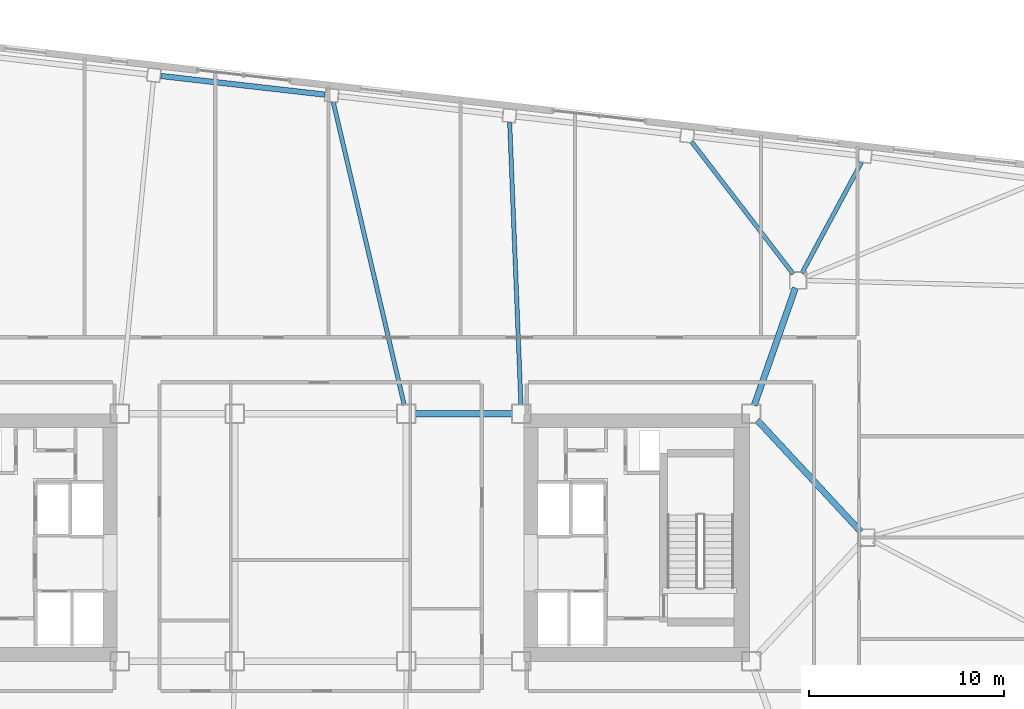
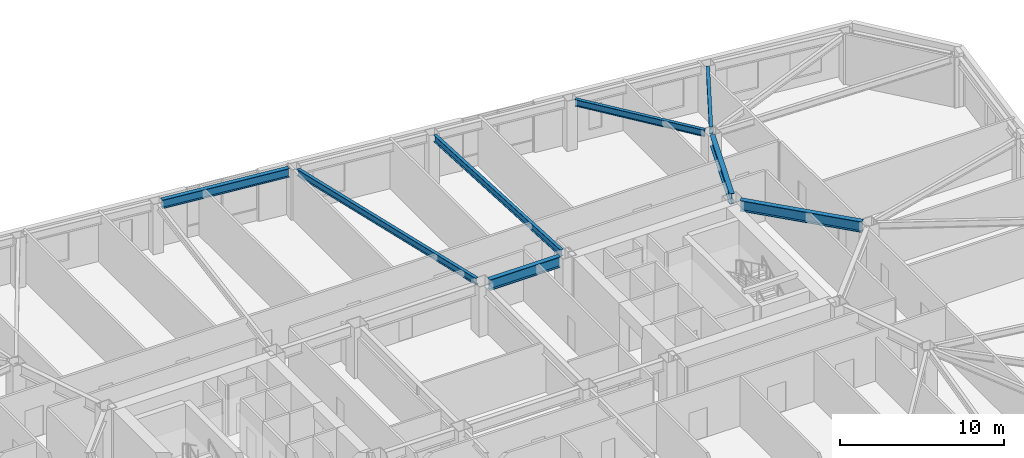
# One storey, part 7 of 21: 8 beams.
"""IFC4 building model written with IfcOpenShell, lengths in metres."""

from ifc_helpers import new_model, si_unit, direction, frame, origin, origin_2d, place, context, subcontext, project, spatial, i_section, extrude, material, material_profile, profile_set, type_object, element, save


model = new_model("IFC4")

# Units and contexts
model_context = context("Model", 3, precision=1e-05, world=origin(), true_north=direction((0.0, 1.0)))
body_context = subcontext(model_context, "Body", "Model", "MODEL_VIEW")
ifc_project = project(units=[si_unit("LENGTHUNIT", "METRE"), si_unit("AREAUNIT", "SQUARE_METRE"), si_unit("VOLUMEUNIT", "CUBIC_METRE"), si_unit("PLANEANGLEUNIT", "RADIAN"), si_unit("MASSUNIT", "GRAM", prefix="KILO")], contexts=[model_context])

# Site, building, storey
site_placement = place(None, origin())
site = spatial("IfcSite", under=ifc_project, at=site_placement, CompositionType="ELEMENT")
building_placement = place(site_placement, origin())
building = spatial("IfcBuilding", under=site, at=building_placement, Name="Tavrogorsk Clinical Tower", CompositionType="ELEMENT")
storey_placement = place(building_placement, frame((0.0, 0.0, 137.39990234375)))
storey = spatial("IfcBuildingStorey", under=building, at=storey_placement, Name="L31", CompositionType="ELEMENT", Elevation=137.39990234375)

# Beams
ifc_material_1 = material(Name="Structural steel S355", Category="steel")
ifc_material_profile_1 = material_profile(ifc_material_1, i_section(OverallWidth=0.219970703125, OverallDepth=0.5, WebThickness=0.012939453125, FlangeThickness=0.02001953125, at=origin_2d()), Name="B-500x220x13x20")
ifc_profile_set_1 = profile_set([ifc_material_profile_1], Name="Structural steel S355")
beam_type_1 = type_object("IfcBeamType", Name="FloorBeam_B500", PredefinedType="BEAM", material=ifc_profile_set_1)
beam_1_placement = place(storey_placement, frame((24.6943359375, 13.56103515625, 3.489990234375), z_axis=(0.473788919736, 0.880638438597, 0.0), x_axis=(-0.880638438597, 0.473788919736, 0.0)))
element("IfcBeam", 1, at=beam_1_placement, inside=storey, type_object=beam_type_1, Name="L31 Radial Floor Beam N2", PredefinedType="BEAM", context=body_context, shape_type="SweptSolid", body=[
    extrude(i_section(OverallWidth=0.219970703125, OverallDepth=0.5, WebThickness=0.012939453125, FlangeThickness=0.02001953125, at=origin_2d()), origin(), (0.0, 0.0, 1.0), 6.462890625),
])
beam_2_placement = place(storey_placement, frame((24.250244140625, 13.525146484375, 3.489990234375), z_axis=(-0.609376288757, 0.792881163038, 0.0), x_axis=(-0.792881163038, -0.609376288757, 0.0)))
element("IfcBeam", 2, at=beam_2_placement, inside=storey, type_object=beam_type_1, Name="L31 Radial Floor Beam N3", PredefinedType="BEAM", context=body_context, shape_type="SweptSolid", body=[
    extrude(i_section(OverallWidth=0.219970703125, OverallDepth=0.5, WebThickness=0.012939453125, FlangeThickness=0.02001953125, at=origin_2d()), origin(), (0.0, 0.0, 1.0), 8.5732421875),
])
beam_3_placement = place(storey_placement, frame((10.28173828125, 6.8095703125, 3.489990234375), z_axis=(-0.039881908424, 0.999204400201, 0.0), x_axis=(-0.999204400201, -0.039881908424, 0.0)))
element("IfcBeam", 3, at=beam_3_placement, inside=storey, type_object=beam_type_1, Name="L31 Radial Floor Beam N4", PredefinedType="BEAM", context=body_context, shape_type="SweptSolid", body=[
    extrude(i_section(OverallWidth=0.219970703125, OverallDepth=0.5, WebThickness=0.012939453125, FlangeThickness=0.02001953125, at=origin_2d()), origin(), (0.0, 0.0, 1.0), 14.48974609375),
])
beam_4_placement = place(storey_placement, frame((4.294921875, 6.7978515625, 3.489990234375), z_axis=(-0.228197667081, 0.973614823603, 0.0), x_axis=(-0.973614823603, -0.228197667081, 0.0)))
element("IfcBeam", 4, at=beam_4_placement, inside=storey, type_object=beam_type_1, Name="L31 Radial Floor Beam N5", PredefinedType="BEAM", context=body_context, shape_type="SweptSolid", body=[
    extrude(i_section(OverallWidth=0.219970703125, OverallDepth=0.5, WebThickness=0.012939453125, FlangeThickness=0.02001953125, at=origin_2d()), origin(), (0.0, 0.0, 1.0), 15.959228515625),
])
ifc_material_2 = material(Name="Structural steel S390", Category="steel")
ifc_material_profile_2 = material_profile(ifc_material_2, i_section(OverallWidth=0.320068359375, OverallDepth=0.800048828125, WebThickness=0.02001953125, FlangeThickness=0.033935546875, at=origin_2d()), Name="B-800x320x20x34")
ifc_profile_set_2 = profile_set([ifc_material_profile_2], Name="Structural steel S390")
beam_type_2 = type_object("IfcBeamType", Name="PrimaryGirder_B800", PredefinedType="USERDEFINED", material=ifc_profile_set_2)
beam_5_placement = place(storey_placement, frame((4.860107421875, 6.35009765625, 3.340087890625), z_axis=(1.0, 0.0, 0.0), x_axis=(0.0, 1.0, 0.0)))
element("IfcBeam", 5, at=beam_5_placement, inside=storey, type_object=beam_type_2, Name="L31 Primary Spine Girder MG-06", ObjectType="GIRDER", PredefinedType="USERDEFINED", context=body_context, shape_type="SweptSolid", body=[
    extrude(i_section(OverallWidth=0.320068359375, OverallDepth=0.800048828125, WebThickness=0.02001953125, FlangeThickness=0.033935546875, at=origin_2d()), origin(), (0.0, 0.0, 1.0), 4.97998046875),
])
beam_6_placement = place(storey_placement, frame((24.364501953125, 12.81298828125, 3.340087890625), z_axis=(-0.330660234815, -0.943749865755, 0.0), x_axis=(0.943749865755, -0.330660234815, 0.0)))
element("IfcBeam", 6, at=beam_6_placement, inside=storey, type_object=beam_type_2, Name="L31 Spine Link Girder OPG-4", ObjectType="GIRDER", PredefinedType="USERDEFINED", context=body_context, shape_type="SweptSolid", body=[
    extrude(i_section(OverallWidth=0.320068359375, OverallDepth=0.800048828125, WebThickness=0.02001953125, FlangeThickness=0.033935546875, at=origin_2d()), origin(), (0.0, 0.0, 1.0), 6.38818359375),
])
beam_7_placement = place(storey_placement, frame((27.720947265625, 0.30029296875, 3.340087890625), z_axis=(-0.680675630035, 0.732584934787, 0.0), x_axis=(-0.732584934787, -0.680675630035, 0.0)))
element("IfcBeam", 7, at=beam_7_placement, inside=storey, type_object=beam_type_2, Name="L31 Spine Link Girder OPG-8", ObjectType="GIRDER", PredefinedType="USERDEFINED", context=body_context, shape_type="SweptSolid", body=[
    extrude(i_section(OverallWidth=0.320068359375, OverallDepth=0.800048828125, WebThickness=0.02001953125, FlangeThickness=0.033935546875, at=origin_2d()), origin(), (0.0, 0.0, 1.0), 7.7978515625),
])
ifc_material_3 = material(Name="Structural steel S390", Category="steel")
ifc_material_profile_3 = material_profile(ifc_material_3, i_section(OverallWidth=0.280029296875, OverallDepth=0.64990234375, WebThickness=0.01611328125, FlangeThickness=0.02490234375, at=origin_2d()), Name="B-650x280x16x25")
ifc_profile_set_3 = profile_set([ifc_material_profile_3], Name="Structural steel S390")
beam_type_3 = type_object("IfcBeamType", Name="SpandrelBeam_B650", PredefinedType="SPANDREL", material=ifc_profile_set_3)
beam_8_placement = place(storey_placement, frame((0.2158203125, 22.724853515625, 3.4150390625), z_axis=(-0.993569819641, 0.113221082395, 0.0), x_axis=(-0.113221082395, -0.993569819641, 0.0)))
element("IfcBeam", 8, at=beam_8_placement, inside=storey, type_object=beam_type_3, Name="L31 Perimeter Spandrel N5-N6", PredefinedType="SPANDREL", context=body_context, shape_type="SweptSolid", body=[
    extrude(i_section(OverallWidth=0.280029296875, OverallDepth=0.64990234375, WebThickness=0.01611328125, FlangeThickness=0.02490234375, at=origin_2d()), origin(), (0.0, 0.0, 1.0), 8.46142578125),
])

save(model, "model.ifc")
